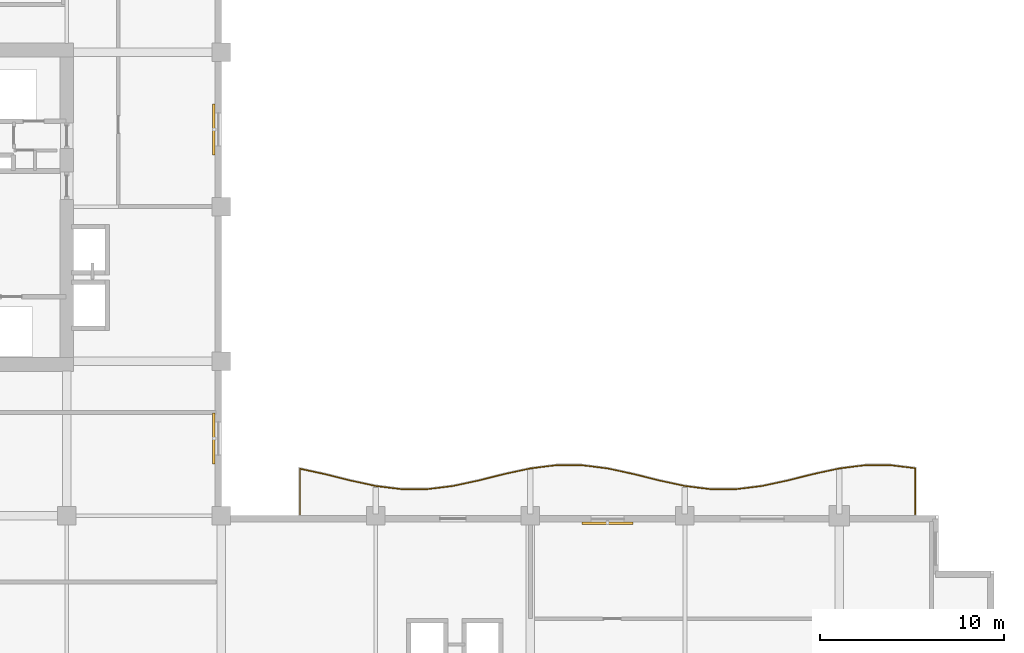
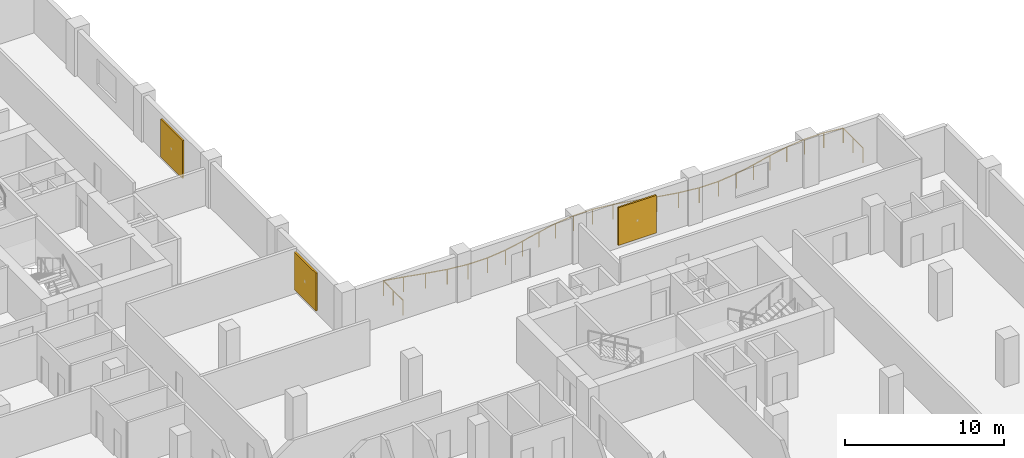
# One storey, part 16 of 16: 3 shading devices, 1 railing.
"""IFC4 building model written with IfcOpenShell, lengths in metres."""

import ifcopenshell
import ifcopenshell.guid

model = None  # the IFC model being written
_history = None  # IfcOwnerHistory: only IFC2X3 demands one
_inside = {}  # id of a spatial element -> (the spatial element, [elements in it])
_under = {}  # id of a project, library or spatial element -> (it, [spatial elements below it])
_declared = {}  # id of a project -> (the project, [libraries it declares])
_typed = {}  # id of a type object -> (the type object, [elements of that type])
_made_of = {}  # id of a material, layer set ... -> (it, [elements and type objects made of it])


def new_model(schema):
    """Start an empty IFC model of exactly this schema.

    Asked for "IFC4X3", IfcOpenShell would pick the latest addendum, in which some entities
    have other attributes; the version numbers below select the first issue.
    IFC2X3 requires an IfcOwnerHistory on every rooted entity: one is made here for all.
    """
    global model, _history
    if schema == "IFC4X3":
        model = ifcopenshell.file(schema_version=(4, 3, 0, 0))
    else:
        model = ifcopenshell.file(schema=schema)
    _inside.clear()
    _under.clear()
    _declared.clear()
    _typed.clear()
    _made_of.clear()
    _history = None
    if model.schema == "IFC2X3":
        org = make("IfcOrganization", Name="unknown")
        user = make(
            "IfcPersonAndOrganization",
            ThePerson=make("IfcPerson", FamilyName="unknown"),
            TheOrganization=org,
        )
        app = make(
            "IfcApplication",
            ApplicationDeveloper=org,
            Version="unknown",
            ApplicationFullName="unknown",
            ApplicationIdentifier="unknown",
        )
        _history = make(
            "IfcOwnerHistory",
            OwningUser=user,
            OwningApplication=app,
            ChangeAction="ADDED",
            CreationDate=0,
        )
    return model


def make(cls, **values):
    """One entity of the class cls with the attributes given. An attribute that is None is left unset."""
    return model.create_entity(
        cls, **{name: value for name, value in values.items() if value is not None}
    )


def rooted(cls, **values):
    """An entity with a GlobalId (a new one), such as an element, a storey or a relation."""
    return make(cls, GlobalId=ifcopenshell.guid.new(), OwnerHistory=_history, **values)


def si_unit(unit_type, name, prefix=None):
    """IfcSIUnit, for example si_unit("LENGTHUNIT", "METRE", prefix="MILLI")."""
    return make("IfcSIUnit", UnitType=unit_type, Prefix=prefix, Name=name)


def assignment(units):
    """IfcUnitAssignment: the units of a project."""
    return None if units is None else make("IfcUnitAssignment", Units=units)


def point(xyz):
    """IfcCartesianPoint."""
    return None if xyz is None else make("IfcCartesianPoint", Coordinates=xyz)


def direction(xyz):
    """IfcDirection."""
    return None if xyz is None else make("IfcDirection", DirectionRatios=xyz)


def frame(location, z_axis=None, x_axis=None):
    """IfcAxis2Placement3D, a coordinate frame: its origin and axes. An axis left out is left unset."""
    return make(
        "IfcAxis2Placement3D",
        Location=point(location),
        Axis=direction(z_axis),
        RefDirection=direction(x_axis),
    )


def frame_2d(location, x_axis=None):
    """IfcAxis2Placement2D, a coordinate frame in the plane: its origin and x axis."""
    return make(
        "IfcAxis2Placement2D", Location=point(location), RefDirection=direction(x_axis)
    )


def origin():
    """The frame at (0, 0, 0) with its axes left unset."""
    return frame((0.0, 0.0, 0.0))


def origin_2d():
    """The frame at (0, 0) in the plane with its x axis left unset."""
    return frame_2d((0.0, 0.0))


def place(relative_to, where):
    """IfcLocalPlacement: puts the frame where relative to a parent placement (None: the world)."""
    return make(
        "IfcLocalPlacement", PlacementRelTo=relative_to, RelativePlacement=where
    )


def context(
    kind, dimensions, precision=None, world=None, true_north=None, identifier=None
):
    """IfcGeometricRepresentationContext, for example the 3D "Model" context."""
    return make(
        "IfcGeometricRepresentationContext",
        ContextIdentifier=identifier,
        ContextType=kind,
        CoordinateSpaceDimension=dimensions,
        Precision=precision,
        WorldCoordinateSystem=world,
        TrueNorth=true_north,
    )


def subcontext(parent, identifier, kind, view, scale=None):
    """IfcGeometricRepresentationSubContext, for example "Body" below "Model"."""
    return make(
        "IfcGeometricRepresentationSubContext",
        ContextIdentifier=identifier,
        ContextType=kind,
        ParentContext=parent,
        TargetScale=scale,
        TargetView=view,
    )


def project(units=None, contexts=None):
    """IfcProject with its units and contexts."""
    return rooted(
        "IfcProject",
        Name="project",
        RepresentationContexts=contexts,
        UnitsInContext=assignment(units),
    )


def spatial(cls, under=None, at=None, **own):
    """A site, building, storey or space (cls), placed at a placement, below another one or the project."""
    s = rooted(cls, ObjectPlacement=at, **own)
    if under is not None:
        _under.setdefault(under.id(), (under, []))[1].append(s)
    return s


def profile(cls, at=None, kind="AREA", **sizes):
    """A parametric profile (cls). Its sizes go by their IFC names, for example OverallWidth=200.0."""
    return make(cls, ProfileType=kind, Position=at, **sizes)


def rectangle(**sizes):
    """IfcRectangleProfileDef."""
    return profile("IfcRectangleProfileDef", **sizes)


def circle(**sizes):
    """IfcCircleProfileDef."""
    return profile("IfcCircleProfileDef", **sizes)


def extrude(swept, where, along, depth):
    """IfcExtrudedAreaSolid: the profile swept, set in the frame where, extruded along a direction by depth."""
    return make(
        "IfcExtrudedAreaSolid",
        SweptArea=swept,
        Position=where,
        ExtrudedDirection=direction(along),
        Depth=depth,
    )


def shape(context_of_items, identifier, shape_type, items):
    """IfcShapeRepresentation: the items that make up one representation, for example the "Body"."""
    return make(
        "IfcShapeRepresentation",
        ContextOfItems=context_of_items,
        RepresentationIdentifier=identifier,
        RepresentationType=shape_type,
        Items=items,
    )


def material(Name=None, Category=None):
    """IfcMaterial."""
    return make("IfcMaterial", Name=Name, Category=Category)


def layer(
    of_material, thickness, ventilated=None, Name=None, Category=None, Priority=None
):
    """IfcMaterialLayer: one layer of a wall or slab, of a material (None: an air gap)."""
    return make(
        "IfcMaterialLayer",
        Material=of_material,
        LayerThickness=thickness,
        IsVentilated=ventilated,
        Name=Name,
        Category=Category,
        Priority=Priority,
    )


def layer_set(layers, Name=None):
    """IfcMaterialLayerSet."""
    return make("IfcMaterialLayerSet", MaterialLayers=layers, LayerSetName=Name)


def made_of(thing, what):
    """Note that an element or type object is made of a material, layer set ...; save() writes the relation."""
    if what is not None:
        _made_of.setdefault(what.id(), (what, []))[1].append(thing)
    return thing


def type_object(cls, material=None, **own):
    """A type object (cls), such as IfcWallType, which elements share."""
    return made_of(rooted(cls, **own), material)


def element(
    cls,
    number,
    at=None,
    inside=None,
    cuts=None,
    type_object=None,
    material=None,
    context=None,
    identifier="Body",
    shape_type=None,
    held_by="IfcProductDefinitionShape",
    body=None,
    shapes=None,
    **own,
):
    """One element of the class cls, such as IfcWall. Its Tag is "e" and its number.

    at: its placement. inside: the storey or other place that contains it. cuts: it is an
    opening in that element (IfcRelVoidsElement). A single representation is given by context,
    identifier, shape_type and body (its items); several are given by shapes. held_by: the class
    of the entity that holds the representations. save() writes the other relations.
    """
    e = rooted(cls, Tag="e%d" % number, ObjectPlacement=at, **own)
    if body is not None:
        shapes = [shape(context, identifier, shape_type, body)]
    if shapes is not None:
        e.Representation = make(held_by, Representations=shapes)
    if inside is not None:
        _inside.setdefault(inside.id(), (inside, []))[1].append(e)
    if cuts is not None:
        rooted(
            "IfcRelVoidsElement", RelatingBuildingElement=cuts, RelatedOpeningElement=e
        )
    if type_object is not None:
        _typed.setdefault(type_object.id(), (type_object, []))[1].append(e)
    return made_of(e, material)


def aggregate(whole, parts):
    """IfcRelAggregates: a whole, such as a stair, and the parts it consists of."""
    return rooted("IfcRelAggregates", RelatingObject=whole, RelatedObjects=parts)


def save(model, path):
    """Write the relations noted so far, then the file.

    IfcRelAggregates (storeys below a building ...), IfcRelContainedInSpatialStructure (elements
    in a storey), IfcRelDefinesByType, IfcRelAssociatesMaterial and IfcRelDeclares: one each for
    every whole, place, type object, material and project.
    """
    for whole, parts in _under.values():
        aggregate(whole, parts)
    for where, things in _inside.values():
        rooted(
            "IfcRelContainedInSpatialStructure",
            RelatedElements=things,
            RelatingStructure=where,
        )
    for kind, things in _typed.values():
        rooted("IfcRelDefinesByType", RelatedObjects=things, RelatingType=kind)
    for what, things in _made_of.values():
        rooted("IfcRelAssociatesMaterial", RelatedObjects=things, RelatingMaterial=what)
    for by, libraries in _declared.values():
        rooted("IfcRelDeclares", RelatingContext=by, RelatedDefinitions=libraries)
    model.write(path)


model = new_model("IFC4")

# Units and contexts
model_context = context("Model", 3, precision=1e-05, world=origin(), true_north=direction((0.0, 1.0)))
body_context = subcontext(model_context, "Body", "Model", "MODEL_VIEW")
ifc_project = project(units=[si_unit("LENGTHUNIT", "METRE"), si_unit("AREAUNIT", "SQUARE_METRE"), si_unit("VOLUMEUNIT", "CUBIC_METRE"), si_unit("PLANEANGLEUNIT", "RADIAN"), si_unit("MASSUNIT", "GRAM", prefix="KILO")], contexts=[model_context])

# Site, building, storey
site_placement = place(None, origin())
site = spatial("IfcSite", under=ifc_project, at=site_placement, CompositionType="ELEMENT")
building_placement = place(site_placement, origin())
building = spatial("IfcBuilding", under=site, at=building_placement, Name="Koriwani Terraces Tower", CompositionType="ELEMENT")
storey_placement = place(building_placement, frame((0.0, 0.0, 171.699951171875)))
storey = spatial("IfcBuildingStorey", under=building, at=storey_placement, Name="L41", CompositionType="ELEMENT", Elevation=171.699951171875)

# Railing
ifc_material_1 = material(Name="Steel ASTM A572 Grade 50", Category="steel")
railing_type = type_object("IfcRailingType", Name="GUARD_BALUSTRADE_1150", PredefinedType="BALUSTRADE", material=ifc_material_1)
railing_placement = place(storey_placement, frame((71.320068359375, 33.679931640625, 0.0)))
element("IfcRailing", 1, at=railing_placement, inside=storey, type_object=railing_type, Name="L41 Balcony Perimeter Safety Balustrade (NE)", PredefinedType="BALUSTRADE", context=body_context, shape_type="SweptSolid", body=[
    extrude(circle(Radius=0.02392578125, at=origin_2d()), frame((0.0, 0.0, 1.1259765625), z_axis=(0.0, 1.0, 0.0), x_axis=(-1.0, 0.0, 0.0)), (0.0, 0.0, 1.0), 2.501708984375),
    extrude(circle(Radius=0.02392578125, at=origin_2d()), frame((0.0, 2.501708984375, 1.1259765625), z_axis=(-0.992308789115, 0.123787184491, 0.0), x_axis=(-0.123787184491, -0.992308789115, 0.0)), (0.0, 0.0, 1.0), 1.335205078125),
    extrude(circle(Radius=0.02392578125, at=origin_2d()), frame((-1.324951171875, 2.6669921875, 1.1259765625), z_axis=(-1.0, 0.0, 0.0), x_axis=(0.0, -1.0, 0.0)), (0.0, 0.0, 1.0), 1.39013671875),
    extrude(circle(Radius=0.02392578125, at=origin_2d()), frame((-2.715087890625, 2.6669921875, 1.1259765625), z_axis=(-0.992309982997, -0.123777613669, 0.0), x_axis=(0.123777613669, -0.992309982997, 0.0)), (0.0, 0.0, 1.0), 1.40234375),
    extrude(circle(Radius=0.02392578125, at=origin_2d()), frame((-4.106689453125, 2.493408203125, 1.1259765625), z_axis=(-0.977438029446, -0.211222391315, 0.0), x_axis=(0.211222391315, -0.977438029446, 0.0)), (0.0, 0.0, 1.0), 1.427490234375),
    extrude(circle(Radius=0.02392578125, at=origin_2d()), frame((-5.501953125, 2.19189453125, 1.1259765625), z_axis=(-0.970241952903, -0.242137466795, 0.0), x_axis=(0.242137466795, -0.970241952903, 0.0)), (0.0, 0.0, 1.0), 1.44287109375),
    extrude(circle(Radius=0.02392578125, at=origin_2d()), frame((-6.90185546875, 1.842529296875, 1.1259765625), z_axis=(-0.977453031353, -0.21115295759, 0.0), x_axis=(0.21115295759, -0.977453031353, 0.0)), (0.0, 0.0, 1.0), 1.437255859375),
    extrude(circle(Radius=0.02392578125, at=origin_2d()), frame((-8.306640625, 1.5390625, 1.1259765625), z_axis=(-0.992301674614, -0.12384420276, 0.0), x_axis=(0.12384420276, -0.992301674614, 0.0)), (0.0, 0.0, 1.0), 1.41943359375),
    extrude(circle(Radius=0.02392578125, at=origin_2d()), frame((-9.715087890625, 1.36328125, 1.1259765625), z_axis=(-1.0, 0.0, 0.0), x_axis=(0.0, -1.0, 0.0)), (0.0, 0.0, 1.0), 1.409912109375),
    extrude(circle(Radius=0.02392578125, at=origin_2d()), frame((-11.125, 1.36328125, 1.1259765625), z_axis=(-0.992301674614, 0.12384420276, 0.0), x_axis=(-0.12384420276, -0.992301674614, 0.0)), (0.0, 0.0, 1.0), 1.41943359375),
    extrude(circle(Radius=0.02392578125, at=origin_2d()), frame((-12.533447265625, 1.5390625, 1.1259765625), z_axis=(-0.977453031353, 0.21115295759, 0.0), x_axis=(-0.21115295759, -0.977453031353, 0.0)), (0.0, 0.0, 1.0), 1.437255859375),
    extrude(circle(Radius=0.02392578125, at=origin_2d()), frame((-13.938232421875, 1.842529296875, 1.1259765625), z_axis=(-0.970241952903, 0.242137466795, 0.0), x_axis=(-0.242137466795, -0.970241952903, 0.0)), (0.0, 0.0, 1.0), 1.44287109375),
    extrude(circle(Radius=0.02392578125, at=origin_2d()), frame((-15.338134765625, 2.19189453125, 1.1259765625), z_axis=(-0.977438029446, 0.211222391315, 0.0), x_axis=(-0.211222391315, -0.977438029446, 0.0)), (0.0, 0.0, 1.0), 1.427490234375),
    extrude(circle(Radius=0.02392578125, at=origin_2d()), frame((-16.7333984375, 2.493408203125, 1.1259765625), z_axis=(-0.992309982997, 0.123777613669, 0.0), x_axis=(-0.123777613669, -0.992309982997, 0.0)), (0.0, 0.0, 1.0), 1.40234375),
    extrude(circle(Radius=0.02392578125, at=origin_2d()), frame((-18.125, 2.6669921875, 1.1259765625), z_axis=(-1.0, 0.0, 0.0), x_axis=(0.0, -1.0, 0.0)), (0.0, 0.0, 1.0), 1.39013671875),
    extrude(circle(Radius=0.02392578125, at=origin_2d()), frame((-19.51513671875, 2.6669921875, 1.1259765625), z_axis=(-0.992309982997, -0.123777613669, 0.0), x_axis=(0.123777613669, -0.992309982997, 0.0)), (0.0, 0.0, 1.0), 1.40234375),
    extrude(circle(Radius=0.02392578125, at=origin_2d()), frame((-20.90673828125, 2.493408203125, 1.1259765625), z_axis=(-0.977438029446, -0.211222391315, 0.0), x_axis=(0.211222391315, -0.977438029446, 0.0)), (0.0, 0.0, 1.0), 1.427490234375),
    extrude(circle(Radius=0.02392578125, at=origin_2d()), frame((-22.302001953125, 2.19189453125, 1.1259765625), z_axis=(-0.970241952903, -0.242137466795, 0.0), x_axis=(0.242137466795, -0.970241952903, 0.0)), (0.0, 0.0, 1.0), 1.44287109375),
    extrude(circle(Radius=0.02392578125, at=origin_2d()), frame((-23.701904296875, 1.842529296875, 1.1259765625), z_axis=(-0.977453031353, -0.21115295759, 0.0), x_axis=(0.21115295759, -0.977453031353, 0.0)), (0.0, 0.0, 1.0), 1.437255859375),
    extrude(circle(Radius=0.02392578125, at=origin_2d()), frame((-25.106689453125, 1.5390625, 1.1259765625), z_axis=(-0.992301674614, -0.12384420276, 0.0), x_axis=(0.12384420276, -0.992301674614, 0.0)), (0.0, 0.0, 1.0), 1.41943359375),
    extrude(circle(Radius=0.02392578125, at=origin_2d()), frame((-26.51513671875, 1.36328125, 1.1259765625), z_axis=(-1.0, 0.0, 0.0), x_axis=(0.0, -1.0, 0.0)), (0.0, 0.0, 1.0), 1.409912109375),
    extrude(circle(Radius=0.02392578125, at=origin_2d()), frame((-27.925048828125, 1.36328125, 1.1259765625), z_axis=(-0.992301674614, 0.12384420276, 0.0), x_axis=(-0.12384420276, -0.992301674614, 0.0)), (0.0, 0.0, 1.0), 1.41943359375),
    extrude(circle(Radius=0.02392578125, at=origin_2d()), frame((-29.33349609375, 1.5390625, 1.1259765625), z_axis=(-0.977453031353, 0.21115295759, 0.0), x_axis=(-0.21115295759, -0.977453031353, 0.0)), (0.0, 0.0, 1.0), 1.437255859375),
    extrude(circle(Radius=0.02392578125, at=origin_2d()), frame((-30.73828125, 1.842529296875, 1.1259765625), z_axis=(-0.970241952903, 0.242137466795, 0.0), x_axis=(-0.242137466795, -0.970241952903, 0.0)), (0.0, 0.0, 1.0), 1.44287109375),
    extrude(circle(Radius=0.02392578125, at=origin_2d()), frame((-32.13818359375, 2.19189453125, 1.1259765625), z_axis=(-0.977417234878, 0.211318595877, 0.0), x_axis=(-0.211318595877, -0.977417234878, 0.0)), (0.0, 0.0, 1.0), 1.33203125),
    extrude(circle(Radius=0.02392578125, at=origin_2d()), frame((-33.440185546875, 2.473388671875, 1.1259765625), z_axis=(0.0, -1.0, 0.0), x_axis=(1.0, 0.0, 0.0)), (0.0, 0.0, 1.0), 2.473388671875),
    extrude(circle(Radius=0.02099609375, at=origin_2d()), origin(), (0.0, 0.0, 1.0), 1.101806640625),
    extrude(circle(Radius=0.02099609375, at=origin_2d()), frame((0.0, 1.2509765625, 0.0)), (0.0, 0.0, 1.0), 1.101806640625),
    extrude(circle(Radius=0.02099609375, at=origin_2d()), frame((0.0, 2.501708984375, 0.0)), (0.0, 0.0, 1.0), 1.101806640625),
    extrude(circle(Radius=0.02099609375, at=origin_2d()), frame((-1.324951171875, 2.6669921875, 0.0)), (0.0, 0.0, 1.0), 1.101806640625),
    extrude(circle(Radius=0.02099609375, at=origin_2d()), frame((-2.715087890625, 2.6669921875, 0.0)), (0.0, 0.0, 1.0), 1.101806640625),
    extrude(circle(Radius=0.02099609375, at=origin_2d()), frame((-4.106689453125, 2.493408203125, 0.0)), (0.0, 0.0, 1.0), 1.101806640625),
    extrude(circle(Radius=0.02099609375, at=origin_2d()), frame((-5.501953125, 2.19189453125, 0.0)), (0.0, 0.0, 1.0), 1.101806640625),
    extrude(circle(Radius=0.02099609375, at=origin_2d()), frame((-6.90185546875, 1.842529296875, 0.0)), (0.0, 0.0, 1.0), 1.101806640625),
    extrude(circle(Radius=0.02099609375, at=origin_2d()), frame((-8.306640625, 1.5390625, 0.0)), (0.0, 0.0, 1.0), 1.101806640625),
    extrude(circle(Radius=0.02099609375, at=origin_2d()), frame((-9.715087890625, 1.36328125, 0.0)), (0.0, 0.0, 1.0), 1.101806640625),
    extrude(circle(Radius=0.02099609375, at=origin_2d()), frame((-11.125, 1.36328125, 0.0)), (0.0, 0.0, 1.0), 1.101806640625),
    extrude(circle(Radius=0.02099609375, at=origin_2d()), frame((-12.533447265625, 1.5390625, 0.0)), (0.0, 0.0, 1.0), 1.101806640625),
    extrude(circle(Radius=0.02099609375, at=origin_2d()), frame((-13.938232421875, 1.842529296875, 0.0)), (0.0, 0.0, 1.0), 1.101806640625),
    extrude(circle(Radius=0.02099609375, at=origin_2d()), frame((-15.338134765625, 2.19189453125, 0.0)), (0.0, 0.0, 1.0), 1.101806640625),
    extrude(circle(Radius=0.02099609375, at=origin_2d()), frame((-16.7333984375, 2.493408203125, 0.0)), (0.0, 0.0, 1.0), 1.101806640625),
    extrude(circle(Radius=0.02099609375, at=origin_2d()), frame((-18.125, 2.6669921875, 0.0)), (0.0, 0.0, 1.0), 1.101806640625),
    extrude(circle(Radius=0.02099609375, at=origin_2d()), frame((-19.51513671875, 2.6669921875, 0.0)), (0.0, 0.0, 1.0), 1.101806640625),
    extrude(circle(Radius=0.02099609375, at=origin_2d()), frame((-20.90673828125, 2.493408203125, 0.0)), (0.0, 0.0, 1.0), 1.101806640625),
    extrude(circle(Radius=0.02099609375, at=origin_2d()), frame((-22.302001953125, 2.19189453125, 0.0)), (0.0, 0.0, 1.0), 1.101806640625),
    extrude(circle(Radius=0.02099609375, at=origin_2d()), frame((-23.701904296875, 1.842529296875, 0.0)), (0.0, 0.0, 1.0), 1.101806640625),
    extrude(circle(Radius=0.02099609375, at=origin_2d()), frame((-25.106689453125, 1.5390625, 0.0)), (0.0, 0.0, 1.0), 1.101806640625),
    extrude(circle(Radius=0.02099609375, at=origin_2d()), frame((-26.51513671875, 1.36328125, 0.0)), (0.0, 0.0, 1.0), 1.101806640625),
    extrude(circle(Radius=0.02099609375, at=origin_2d()), frame((-27.925048828125, 1.36328125, 0.0)), (0.0, 0.0, 1.0), 1.101806640625),
    extrude(circle(Radius=0.02099609375, at=origin_2d()), frame((-29.33349609375, 1.5390625, 0.0)), (0.0, 0.0, 1.0), 1.101806640625),
    extrude(circle(Radius=0.02099609375, at=origin_2d()), frame((-30.73828125, 1.842529296875, 0.0)), (0.0, 0.0, 1.0), 1.101806640625),
    extrude(circle(Radius=0.02099609375, at=origin_2d()), frame((-32.13818359375, 2.19189453125, 0.0)), (0.0, 0.0, 1.0), 1.101806640625),
    extrude(circle(Radius=0.02099609375, at=origin_2d()), frame((-33.440185546875, 2.473388671875, 0.0)), (0.0, 0.0, 1.0), 1.101806640625),
    extrude(circle(Radius=0.02099609375, at=origin_2d()), frame((-33.440185546875, 1.23681640625, 0.0)), (0.0, 0.0, 1.0), 1.101806640625),
    extrude(circle(Radius=0.02099609375, at=origin_2d()), frame((-33.440185546875, 0.0, 0.0)), (0.0, 0.0, 1.0), 1.101806640625),
])

# Shading devices
ifc_material_2 = material(Name="Extruded Terracotta Clay", Category="masonry")
ifc_layer = layer(ifc_material_2, 0.1201171875, Name="Extruded Terracotta Clay")
ifc_layer_set = layer_set([ifc_layer], Name="Extruded Terracotta Clay")
shading_device_type = type_object("IfcShadingDeviceType", Name="TERRACOTTA_BAGUETTE_SCREEN_2800", PredefinedType="USERDEFINED", material=ifc_layer_set)
for number, where, z_axis, x_axis, name in (
    (2, (33.195068359375, 37.800048828125, 0.28515625), (0.0, 0.0, 1.0), (0.0, -1.0, 0.0), "L41 Extruded Terracotta Baguette Screen (NW_IN-2)"),
    (3, (33.195068359375, 54.60009765625, 0.28515625), (0.0, 0.0, 1.0), (0.0, -1.0, 0.0), "L41 Extruded Terracotta Baguette Screen (NW_IN-8)"),
    (4, (54.60009765625, 33.195068359375, 0.28515625), (0.0, 0.0, 1.0), (1.0, 0.0, 0.0), "L41 Extruded Terracotta Baguette Screen (NE-8)"),
):
    element("IfcShadingDevice", number, at=place(storey_placement, frame(where, z_axis=z_axis, x_axis=x_axis)), inside=storey, type_object=shading_device_type, Name=name, ObjectType="BAGUETTE", PredefinedType="USERDEFINED", context=body_context, shape_type="SweptSolid", body=[
        extrude(rectangle(XDim=2.760009765625, YDim=0.1201171875, at=origin_2d()), origin(), (0.0, 0.0, 1.0), 2.89990234375),
    ])

save(model, "model.ifc")
